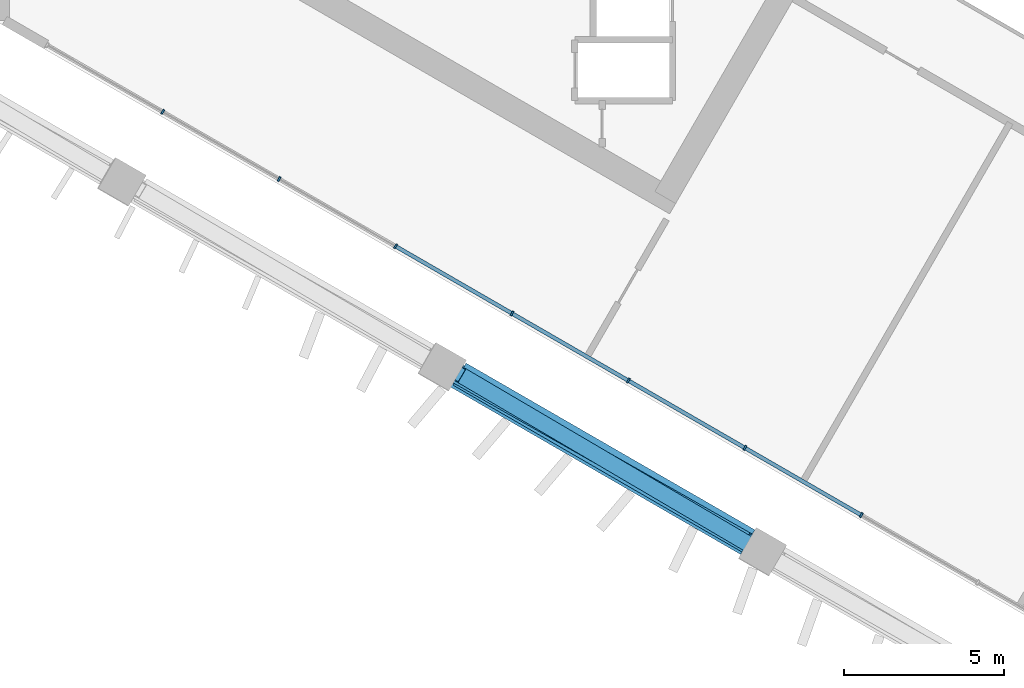
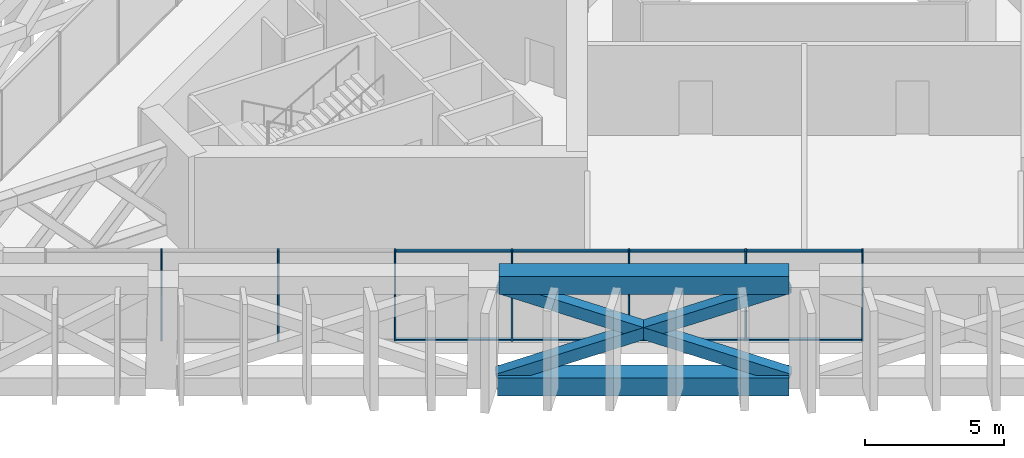
# One storey, part 2 of 17: 19 members, 1 element without a shape of its own.
"""IFC4 building model written with IfcOpenShell, lengths in metres."""

from ifc_helpers import new_model, si_unit, direction, frame, origin, origin_2d, place, context, subcontext, project, spatial, rectangle, hollow_rectangle, extrude, material, layer, layer_set, material_profile, profile_set, type_object, element, aggregate, save


model = new_model("IFC4")

# Units and contexts
model_context = context("Model", 3, precision=1e-05, world=origin(), true_north=direction((0.0, 1.0)))
body_context = subcontext(model_context, "Body", "Model", "MODEL_VIEW")
ifc_project = project(units=[si_unit("LENGTHUNIT", "METRE"), si_unit("AREAUNIT", "SQUARE_METRE"), si_unit("VOLUMEUNIT", "CUBIC_METRE"), si_unit("PLANEANGLEUNIT", "RADIAN"), si_unit("MASSUNIT", "GRAM", prefix="KILO")], contexts=[model_context])

# Site, building, storey
site_placement = place(None, origin())
site = spatial("IfcSite", under=ifc_project, at=site_placement, CompositionType="ELEMENT")
building_placement = place(site_placement, origin())
building = spatial("IfcBuilding", under=site, at=building_placement, Name="Jabali Bay Hotel Tower and Convention Centre", CompositionType="ELEMENT")
storey_placement = place(building_placement, frame((0.0, 0.0, 102.39990234375)))
storey = spatial("IfcBuildingStorey", under=building, at=storey_placement, Name="L24", CompositionType="ELEMENT", Elevation=102.39990234375)

# Members
ifc_material_1 = material(Name="Steel Q420GJC", Category="steel")
ifc_material_profile_1 = material_profile(ifc_material_1, hollow_rectangle(XDim=0.5, YDim=0.5, WallThickness=0.030029296875, at=origin_2d()), Name="Belt brace 500x500x30")
ifc_profile_set_1 = profile_set([ifc_material_profile_1], Name="Steel Q420GJC")
member_type_1 = type_object("IfcMemberType", Name="Belt brace 500x500x30", PredefinedType="BRACE", material=ifc_profile_set_1)
member_1_placement = place(storey_placement, frame((54.166015625, 65.95068359375, 0.209228515625), z_axis=(0.813008644183, -0.461119791379, 0.355507359251), x_axis=(0.493348533337, 0.869831722033, 0.0)))
element("IfcMember", 1, at=member_1_placement, inside=storey, type_object=member_type_1, Name="Belt brace T2 F2.2-F2.3 x1", PredefinedType="BRACE", context=body_context, shape_type="SweptSolid", body=[
    extrude(hollow_rectangle(XDim=0.5, YDim=0.5, WallThickness=0.030029296875, at=origin_2d()), origin(), (0.0, 0.0, 1.0), 11.199951171875),
])
member_2_placement = place(storey_placement, frame((63.231689453125, 60.716552734375, 0.210205078125), z_axis=(-0.805412998282, 0.473329501843, 0.356747929053), x_axis=(-0.506667904154, -0.862141307965, 0.0)))
element("IfcMember", 2, at=member_2_placement, inside=storey, type_object=member_type_1, Name="Belt brace T2 F2.2-F2.3 x2", PredefinedType="BRACE", context=body_context, shape_type="SweptSolid", body=[
    extrude(hollow_rectangle(XDim=0.5, YDim=0.5, WallThickness=0.030029296875, at=origin_2d()), origin(), (0.0, 0.0, 1.0), 11.155517578125),
])
ifc_material_profile_2 = material_profile(ifc_material_1, hollow_rectangle(XDim=0.800048828125, YDim=0.800048828125, WallThickness=0.0400390625, at=origin_2d()), Name="Belt chord 800x800x40")
ifc_profile_set_2 = profile_set([ifc_material_profile_2], Name="Steel Q420GJC")
member_type_2 = type_object("IfcMemberType", Name="Belt chord 800x800x40", PredefinedType="CHORD", material=ifc_profile_set_2)
member_3_placement = place(storey_placement, frame((54.1640625, 65.947021484375, 0.0), z_axis=(0.866017023461, -0.500014514865, 0.0), x_axis=(0.500014514865, 0.866017023461, 0.0)))
element("IfcMember", 3, at=member_3_placement, inside=storey, type_object=member_type_2, Name="Belt chord T2 F2.2-F2.3", PredefinedType="CHORD", context=body_context, shape_type="SweptSolid", body=[
    extrude(hollow_rectangle(XDim=0.800048828125, YDim=0.800048828125, WallThickness=0.0400390625, at=origin_2d()), origin(), (0.0, 0.0, 1.0), 10.468017578125),
])
member_4_placement = place(storey_placement, frame((54.2490234375, 66.00048828125, 4.400146484375), z_axis=(0.866018607488, -0.500011771347, 0.0), x_axis=(0.500011771347, 0.866018607488, 0.0)))
element("IfcMember", 4, at=member_4_placement, inside=storey, type_object=member_type_2, Name="Belt chord T2 F2.2-F2.3", PredefinedType="CHORD", context=body_context, shape_type="SweptSolid", body=[
    extrude(hollow_rectangle(XDim=0.800048828125, YDim=0.800048828125, WallThickness=0.0400390625, at=origin_2d()), origin(), (0.0, 0.0, 1.0), 10.421142578125),
])

# Curtain wall, members
ifc_material_2 = material(Name="Aluminium and glass", Category="aluminium")
ifc_layer = layer(ifc_material_2, 0.159912109375)
ifc_layer_set = layer_set([ifc_layer], Name="Aluminium and glass")
curtain_wall_type = type_object("IfcCurtainWallType", Name="CW3 curtain wall", PredefinedType="NOTDEFINED", material=ifc_layer_set)
curtain_wall_placement = place(storey_placement, origin())
curtain_wall = element("IfcCurtainWall", 5, at=curtain_wall_placement, inside=storey, type_object=curtain_wall_type, Name="CW3 curtain wall south-west face L24", PredefinedType="NOTDEFINED")
ifc_material_3 = material(Name="Aluminium", Category="aluminium")
ifc_material_profile_3 = material_profile(ifc_material_3, rectangle(XDim=0.159912109375, YDim=0.06005859375, at=origin_2d()), Name="CW3 mullion 60 x 160")
ifc_profile_set_3 = profile_set([ifc_material_profile_3], Name="Aluminium")
member_type_3 = type_object("IfcMemberType", Name="CW3 mullion 60 x 160", PredefinedType="MULLION", material=ifc_profile_set_3)
member_5_placement = place(storey_placement, frame((66.80029296875, 61.595947265625, 0.0), z_axis=(0.0, 0.0, 1.0), x_axis=(-0.499999994256, -0.866025407101, 0.0)))
member_5 = element("IfcMember", 6, at=member_5_placement, type_object=member_type_3, Name="CW3 mullion 7", PredefinedType="MULLION", context=body_context, shape_type="SweptSolid", body=[
    extrude(rectangle(XDim=0.159912109375, YDim=0.06005859375, at=origin_2d()), origin(), (0.0, 0.0, 1.0), 3.9501953125),
])
member_6_placement = place(storey_placement, frame((63.161376953125, 63.69677734375, 0.0), z_axis=(0.0, 0.0, 1.0), x_axis=(-0.499999994256, -0.866025407101, 0.0)))
member_6 = element("IfcMember", 7, at=member_6_placement, type_object=member_type_3, Name="CW3 mullion 8", PredefinedType="MULLION", context=body_context, shape_type="SweptSolid", body=[
    extrude(rectangle(XDim=0.159912109375, YDim=0.06005859375, at=origin_2d()), origin(), (0.0, 0.0, 1.0), 3.9501953125),
])
member_7_placement = place(storey_placement, frame((59.522705078125, 65.797607421875, 0.0), z_axis=(0.0, 0.0, 1.0), x_axis=(-0.499999994256, -0.866025407101, 0.0)))
member_7 = element("IfcMember", 8, at=member_7_placement, type_object=member_type_3, Name="CW3 mullion 9", PredefinedType="MULLION", context=body_context, shape_type="SweptSolid", body=[
    extrude(rectangle(XDim=0.159912109375, YDim=0.06005859375, at=origin_2d()), origin(), (0.0, 0.0, 1.0), 3.9501953125),
])
member_8_placement = place(storey_placement, frame((55.8837890625, 67.8984375, 0.0), z_axis=(0.0, 0.0, 1.0), x_axis=(-0.499999994256, -0.866025407101, 0.0)))
member_8 = element("IfcMember", 9, at=member_8_placement, type_object=member_type_3, Name="CW3 mullion 10", PredefinedType="MULLION", context=body_context, shape_type="SweptSolid", body=[
    extrude(rectangle(XDim=0.159912109375, YDim=0.06005859375, at=origin_2d()), origin(), (0.0, 0.0, 1.0), 3.9501953125),
])
member_9_placement = place(storey_placement, frame((52.2451171875, 69.999267578125, 0.0), z_axis=(0.0, 0.0, 1.0), x_axis=(-0.499999994256, -0.866025407101, 0.0)))
member_9 = element("IfcMember", 10, at=member_9_placement, type_object=member_type_3, Name="CW3 mullion 11", PredefinedType="MULLION", context=body_context, shape_type="SweptSolid", body=[
    extrude(rectangle(XDim=0.159912109375, YDim=0.06005859375, at=origin_2d()), origin(), (0.0, 0.0, 1.0), 3.9501953125),
])
member_10_placement = place(storey_placement, frame((48.606201171875, 72.10009765625, 0.0), z_axis=(0.0, 0.0, 1.0), x_axis=(-0.499999994256, -0.866025407101, 0.0)))
member_10 = element("IfcMember", 11, at=member_10_placement, type_object=member_type_3, Name="CW3 mullion 12", PredefinedType="MULLION", context=body_context, shape_type="SweptSolid", body=[
    extrude(rectangle(XDim=0.159912109375, YDim=0.06005859375, at=origin_2d()), origin(), (0.0, 0.0, 1.0), 3.9501953125),
])
member_11_placement = place(storey_placement, frame((44.967529296875, 74.201171875, 0.0), z_axis=(0.0, 0.0, 1.0), x_axis=(-0.499999994256, -0.866025407101, 0.0)))
member_11 = element("IfcMember", 12, at=member_11_placement, type_object=member_type_3, Name="CW3 mullion 13", PredefinedType="MULLION", context=body_context, shape_type="SweptSolid", body=[
    extrude(rectangle(XDim=0.159912109375, YDim=0.06005859375, at=origin_2d()), origin(), (0.0, 0.0, 1.0), 3.9501953125),
])
ifc_material_profile_4 = material_profile(ifc_material_3, rectangle(XDim=0.1201171875, YDim=0.06005859375, at=origin_2d()), Name="CW3 transom 60 x 120")
ifc_profile_set_4 = profile_set([ifc_material_profile_4], Name="Aluminium")
member_type_4 = type_object("IfcMemberType", Name="CW3 transom 60 x 120", PredefinedType="USERDEFINED", material=ifc_profile_set_4)
member_12_placement = place(storey_placement, frame((66.774169921875, 61.61083984375, 0.030029296875), z_axis=(-0.866021646493, 0.500006507763, 0.0), x_axis=(-0.500006507763, -0.866021646493, 0.0)))
member_12 = element("IfcMember", 13, at=member_12_placement, type_object=member_type_4, Name="CW3 transom 7.1", ObjectType="TRANSOM", PredefinedType="USERDEFINED", context=body_context, shape_type="SweptSolid", body=[
    extrude(rectangle(XDim=0.1201171875, YDim=0.06005859375, at=origin_2d()), origin(), (0.0, 0.0, 1.0), 4.1416015625),
])
member_13_placement = place(storey_placement, frame((66.774169921875, 61.61083984375, 3.920166015625), z_axis=(-0.866021646493, 0.500006507763, 0.0), x_axis=(-0.500006507763, -0.866021646493, 0.0)))
member_13 = element("IfcMember", 14, at=member_13_placement, type_object=member_type_4, Name="CW3 transom 7.2", ObjectType="TRANSOM", PredefinedType="USERDEFINED", context=body_context, shape_type="SweptSolid", body=[
    extrude(rectangle(XDim=0.1201171875, YDim=0.06005859375, at=origin_2d()), origin(), (0.0, 0.0, 1.0), 4.1416015625),
])
member_14_placement = place(storey_placement, frame((63.135498046875, 63.711669921875, 0.030029296875), z_axis=(-0.866010858883, 0.500025191662, 0.0), x_axis=(-0.500025191662, -0.866010858883, 0.0)))
member_14 = element("IfcMember", 15, at=member_14_placement, type_object=member_type_4, Name="CW3 transom 8.1", ObjectType="TRANSOM", PredefinedType="USERDEFINED", context=body_context, shape_type="SweptSolid", body=[
    extrude(rectangle(XDim=0.1201171875, YDim=0.06005859375, at=origin_2d()), origin(), (0.0, 0.0, 1.0), 4.141845703125),
])
member_15_placement = place(storey_placement, frame((63.135498046875, 63.711669921875, 3.920166015625), z_axis=(-0.866010858883, 0.500025191662, 0.0), x_axis=(-0.500025191662, -0.866010858883, 0.0)))
member_15 = element("IfcMember", 16, at=member_15_placement, type_object=member_type_4, Name="CW3 transom 8.2", ObjectType="TRANSOM", PredefinedType="USERDEFINED", context=body_context, shape_type="SweptSolid", body=[
    extrude(rectangle(XDim=0.1201171875, YDim=0.06005859375, at=origin_2d()), origin(), (0.0, 0.0, 1.0), 4.141845703125),
])
member_16_placement = place(storey_placement, frame((59.49658203125, 65.8125, 0.030029296875), z_axis=(-0.865996120174, 0.500050717271, 0.0), x_axis=(-0.500050717271, -0.865996120174, 0.0)))
member_16 = element("IfcMember", 17, at=member_16_placement, type_object=member_type_4, Name="CW3 transom 9.1", ObjectType="TRANSOM", PredefinedType="USERDEFINED", context=body_context, shape_type="SweptSolid", body=[
    extrude(rectangle(XDim=0.1201171875, YDim=0.06005859375, at=origin_2d()), origin(), (0.0, 0.0, 1.0), 4.1416015625),
])
member_17_placement = place(storey_placement, frame((59.49658203125, 65.8125, 3.920166015625), z_axis=(-0.865996120174, 0.500050717271, 0.0), x_axis=(-0.500050717271, -0.865996120174, 0.0)))
member_17 = element("IfcMember", 18, at=member_17_placement, type_object=member_type_4, Name="CW3 transom 9.2", ObjectType="TRANSOM", PredefinedType="USERDEFINED", context=body_context, shape_type="SweptSolid", body=[
    extrude(rectangle(XDim=0.1201171875, YDim=0.06005859375, at=origin_2d()), origin(), (0.0, 0.0, 1.0), 4.1416015625),
])
member_18_placement = place(storey_placement, frame((55.85791015625, 67.91357421875, 0.030029296875), z_axis=(-0.86603638303, 0.499980982906, 0.0), x_axis=(-0.499980982906, -0.86603638303, 0.0)))
member_18 = element("IfcMember", 19, at=member_18_placement, type_object=member_type_4, Name="CW3 transom 10.1", ObjectType="TRANSOM", PredefinedType="USERDEFINED", context=body_context, shape_type="SweptSolid", body=[
    extrude(rectangle(XDim=0.1201171875, YDim=0.06005859375, at=origin_2d()), origin(), (0.0, 0.0, 1.0), 4.141845703125),
])
member_19_placement = place(storey_placement, frame((55.85791015625, 67.91357421875, 3.920166015625), z_axis=(-0.86603638303, 0.499980982906, 0.0), x_axis=(-0.499980982906, -0.86603638303, 0.0)))
member_19 = element("IfcMember", 20, at=member_19_placement, type_object=member_type_4, Name="CW3 transom 10.2", ObjectType="TRANSOM", PredefinedType="USERDEFINED", context=body_context, shape_type="SweptSolid", body=[
    extrude(rectangle(XDim=0.1201171875, YDim=0.06005859375, at=origin_2d()), origin(), (0.0, 0.0, 1.0), 4.141845703125),
])
aggregate(curtain_wall, [member_5, member_6, member_7, member_8, member_9, member_10, member_11, member_12, member_13, member_14, member_15, member_16, member_17, member_18, member_19])

save(model, "model.ifc")
